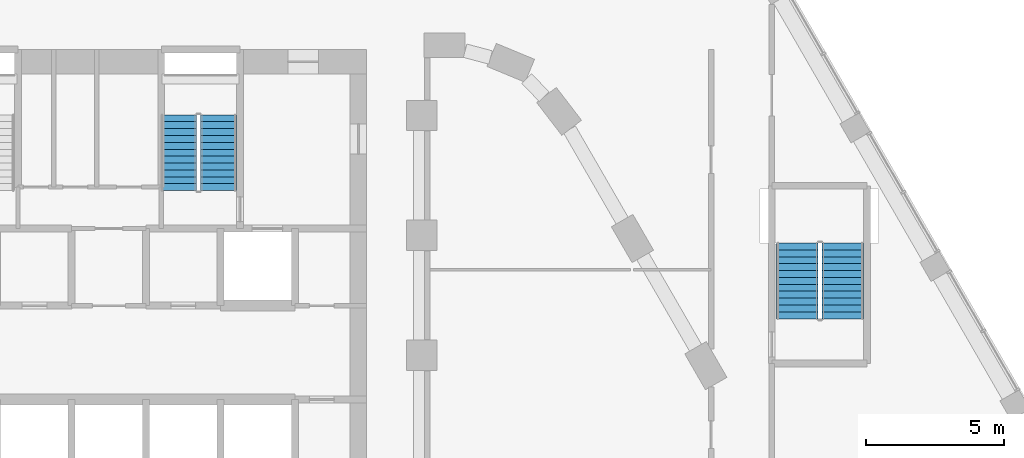
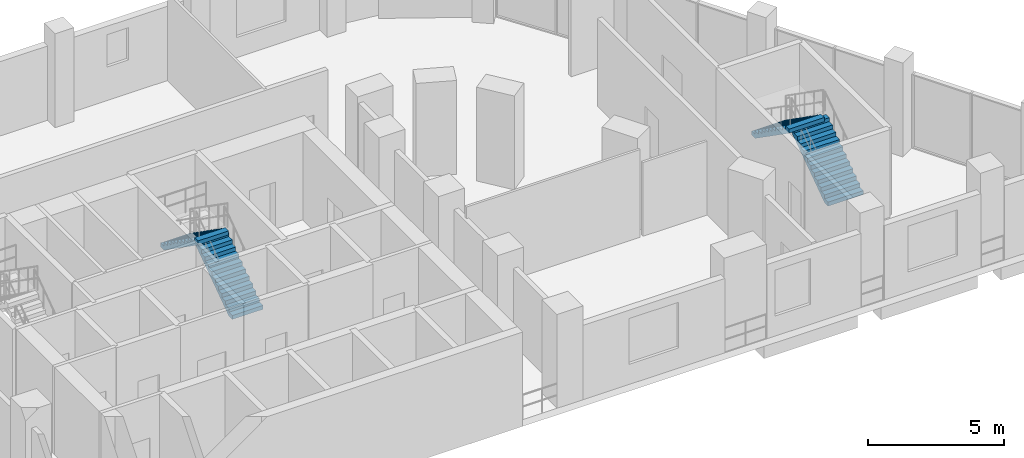
# One storey, part 17 of 22: 4 stair flights, 2 elements without a shape of their own.
"""IFC4 building model written with IfcOpenShell, lengths in metres."""

from ifc_helpers import new_model, si_unit, direction, frame, origin, place, context, subcontext, project, spatial, polyline, outline, extrude, material, type_object, element, aggregate, save


model = new_model("IFC4")

# Units and contexts
model_context = context("Model", 3, precision=1e-05, world=origin(), true_north=direction((0.0, 1.0)))
body_context = subcontext(model_context, "Body", "Model", "MODEL_VIEW")
ifc_project = project(units=[si_unit("LENGTHUNIT", "METRE"), si_unit("AREAUNIT", "SQUARE_METRE"), si_unit("VOLUMEUNIT", "CUBIC_METRE"), si_unit("PLANEANGLEUNIT", "RADIAN"), si_unit("MASSUNIT", "GRAM", prefix="KILO")], contexts=[model_context])

# Site, building, storey
site_placement = place(None, origin())
site = spatial("IfcSite", under=ifc_project, at=site_placement, CompositionType="ELEMENT")
building_placement = place(site_placement, origin())
building = spatial("IfcBuilding", under=site, at=building_placement, Name="Nakaniwa Court", CompositionType="ELEMENT")
storey_placement = place(building_placement, frame((0.0, 0.0, 24.0)))
storey = spatial("IfcBuildingStorey", under=building, at=storey_placement, Name="L05", CompositionType="ELEMENT", Elevation=24.0)

# Stair, stair flights
ifc_material = material(Name="Concrete C80/100", Category="concrete")
stair_type_1 = type_object("IfcStairType", Name="Dog leg stair 1300 wide 24 risers", PredefinedType="HALF_TURN_STAIR", material=ifc_material)
stair_1_placement = place(storey_placement, origin())
stair_1 = element("IfcStair", 1, at=stair_1_placement, inside=storey, type_object=stair_type_1, Name="L05 Stair ST2", PredefinedType="HALF_TURN_STAIR")
stair_flight_type_1 = type_object("IfcStairFlightType", Name="Stair flight 1300 wide 12 risers", PredefinedType="STRAIGHT", material=ifc_material)
stair_flight_1_placement = place(storey_placement, frame((82.625, 98.27490234375, 0.0), z_axis=(0.0, 0.0, 1.0), x_axis=(0.0, 1.0, 0.0)))
stair_flight_1 = element("IfcStairFlight", 2, at=stair_flight_1_placement, type_object=stair_flight_type_1, Name="ST2 flight 1", NumberOfRisers=12, NumberOfTreads=11, PredefinedType="STRAIGHT", RiserHeight=0.175, TreadLength=0.25, context=body_context, shape_type="SweptSolid", body=[
    extrude(outline(polyline([(0.0, 0.0), (0.0, 0.02490234375), (0.0, 0.050048828125), (0.0, 0.074951171875), (0.0, 0.10009765625), (0.0, 0.125), (0.0, 0.14990234375), (0.0, 0.175048828125), (0.25, 0.175048828125), (0.25, 0.35009765625), (0.5, 0.35009765625), (0.5, 0.52490234375), (0.75, 0.52490234375), (0.75, 0.699951171875), (1.0, 0.699951171875), (1.0, 0.875), (1.25, 0.875), (1.25, 1.050048828125), (1.5, 1.050048828125), (1.5, 1.22509765625), (1.75, 1.22509765625), (1.75, 1.39990234375), (2.0, 1.39990234375), (2.0, 1.574951171875), (2.25, 1.574951171875), (2.25, 1.75), (2.5, 1.75), (2.5, 1.925048828125), (2.75, 1.925048828125), (2.75, 2.10009765625), (2.75, 2.048828125), (2.75, 1.997802734375), (2.75, 1.946533203125), (2.75, 1.8955078125), (2.75, 1.84423828125), (2.75, 1.793212890625), (2.75, 1.741943359375), (0.261474609375, 0.0), (0.0, 0.0)])), frame((0.0, 0.64990234375, 0.0), z_axis=(0.0, -1.0, 0.0), x_axis=(1.0, 0.0, 0.0)), (0.0, 0.0, 1.0), 1.300048828125),
])
stair_flight_2_placement = place(storey_placement, frame((81.175048828125, 101.02490234375, 2.10009765625), z_axis=(0.0, 0.0, 1.0), x_axis=(0.0, -1.0, 0.0)))
stair_flight_2 = element("IfcStairFlight", 3, at=stair_flight_2_placement, type_object=stair_flight_type_1, Name="ST2 flight 2", NumberOfRisers=12, NumberOfTreads=11, PredefinedType="STRAIGHT", RiserHeight=0.175, TreadLength=0.25, context=body_context, shape_type="SweptSolid", body=[
    extrude(outline(polyline([(0.0, 0.0), (0.0, 0.02490234375), (0.0, 0.050048828125), (0.0, 0.074951171875), (0.0, 0.10009765625), (0.0, 0.125), (0.0, 0.14990234375), (0.0, 0.175048828125), (0.25, 0.175048828125), (0.25, 0.35009765625), (0.5, 0.35009765625), (0.5, 0.52490234375), (0.75, 0.52490234375), (0.75, 0.699951171875), (1.0, 0.699951171875), (1.0, 0.875), (1.25, 0.875), (1.25, 1.050048828125), (1.5, 1.050048828125), (1.5, 1.22509765625), (1.75, 1.22509765625), (1.75, 1.39990234375), (2.0, 1.39990234375), (2.0, 1.574951171875), (2.25, 1.574951171875), (2.25, 1.75), (2.5, 1.75), (2.5, 1.925048828125), (2.75, 1.925048828125), (2.75, 2.10009765625), (2.75, 2.048828125), (2.75, 1.997802734375), (2.75, 1.946533203125), (2.75, 1.8955078125), (2.75, 1.84423828125), (2.75, 1.793212890625), (2.75, 1.741943359375), (0.261474609375, 0.0), (0.0, 0.0)])), frame((0.0, 0.64990234375, 0.0), z_axis=(0.0, -1.0, 0.0), x_axis=(1.0, 0.0, 0.0)), (0.0, 0.0, 1.0), 1.300048828125),
])
aggregate(stair_1, [stair_flight_1, stair_flight_2])

stair_type_2 = type_object("IfcStairType", Name="Dog leg stair 1500 wide 24 risers", PredefinedType="HALF_TURN_STAIR", material=ifc_material)
stair_2_placement = place(storey_placement, origin())
stair_2 = element("IfcStair", 4, at=stair_2_placement, inside=storey, type_object=stair_type_2, Name="L05 Stair SS1", PredefinedType="HALF_TURN_STAIR")
stair_flight_type_2 = type_object("IfcStairFlightType", Name="Stair flight 1500 wide 12 risers", PredefinedType="STRAIGHT", material=ifc_material)
stair_flight_3_placement = place(storey_placement, frame((105.27490234375, 93.625, 0.0), z_axis=(0.0, 0.0, 1.0), x_axis=(0.0, 1.0, 0.0)))
stair_flight_3 = element("IfcStairFlight", 5, at=stair_flight_3_placement, type_object=stair_flight_type_2, Name="SS1 flight 1", NumberOfRisers=12, NumberOfTreads=11, PredefinedType="STRAIGHT", RiserHeight=0.175, TreadLength=0.25, context=body_context, shape_type="SweptSolid", body=[
    extrude(outline(polyline([(0.0, 0.0), (0.0, 0.02490234375), (0.0, 0.050048828125), (0.0, 0.074951171875), (0.0, 0.10009765625), (0.0, 0.125), (0.0, 0.14990234375), (0.0, 0.175048828125), (0.25, 0.175048828125), (0.25, 0.35009765625), (0.5, 0.35009765625), (0.5, 0.52490234375), (0.75, 0.52490234375), (0.75, 0.699951171875), (1.0, 0.699951171875), (1.0, 0.875), (1.25, 0.875), (1.25, 1.050048828125), (1.5, 1.050048828125), (1.5, 1.22509765625), (1.75, 1.22509765625), (1.75, 1.39990234375), (2.0, 1.39990234375), (2.0, 1.574951171875), (2.25, 1.574951171875), (2.25, 1.75), (2.5, 1.75), (2.5, 1.925048828125), (2.75, 1.925048828125), (2.75, 2.10009765625), (2.75, 2.048828125), (2.75, 1.997802734375), (2.75, 1.946533203125), (2.75, 1.8955078125), (2.75, 1.84423828125), (2.75, 1.793212890625), (2.75, 1.741943359375), (0.261474609375, 0.0), (0.0, 0.0)])), frame((0.0, 0.75, 0.0), z_axis=(0.0, -1.0, 0.0), x_axis=(1.0, 0.0, 0.0)), (0.0, 0.0, 1.0), 1.5),
])
stair_flight_4_placement = place(storey_placement, frame((103.625, 96.375, 2.10009765625), z_axis=(0.0, 0.0, 1.0), x_axis=(0.0, -1.0, 0.0)))
stair_flight_4 = element("IfcStairFlight", 6, at=stair_flight_4_placement, type_object=stair_flight_type_2, Name="SS1 flight 2", NumberOfRisers=12, NumberOfTreads=11, PredefinedType="STRAIGHT", RiserHeight=0.175, TreadLength=0.25, context=body_context, shape_type="SweptSolid", body=[
    extrude(outline(polyline([(0.0, 0.0), (0.0, 0.02490234375), (0.0, 0.050048828125), (0.0, 0.074951171875), (0.0, 0.10009765625), (0.0, 0.125), (0.0, 0.14990234375), (0.0, 0.175048828125), (0.25, 0.175048828125), (0.25, 0.35009765625), (0.5, 0.35009765625), (0.5, 0.52490234375), (0.75, 0.52490234375), (0.75, 0.699951171875), (1.0, 0.699951171875), (1.0, 0.875), (1.25, 0.875), (1.25, 1.050048828125), (1.5, 1.050048828125), (1.5, 1.22509765625), (1.75, 1.22509765625), (1.75, 1.39990234375), (2.0, 1.39990234375), (2.0, 1.574951171875), (2.25, 1.574951171875), (2.25, 1.75), (2.5, 1.75), (2.5, 1.925048828125), (2.75, 1.925048828125), (2.75, 2.10009765625), (2.75, 2.048828125), (2.75, 1.997802734375), (2.75, 1.946533203125), (2.75, 1.8955078125), (2.75, 1.84423828125), (2.75, 1.793212890625), (2.75, 1.741943359375), (0.261474609375, 0.0), (0.0, 0.0)])), frame((0.0, 0.75, 0.0), z_axis=(0.0, -1.0, 0.0), x_axis=(1.0, 0.0, 0.0)), (0.0, 0.0, 1.0), 1.5),
])
aggregate(stair_2, [stair_flight_3, stair_flight_4])

save(model, "model.ifc")
